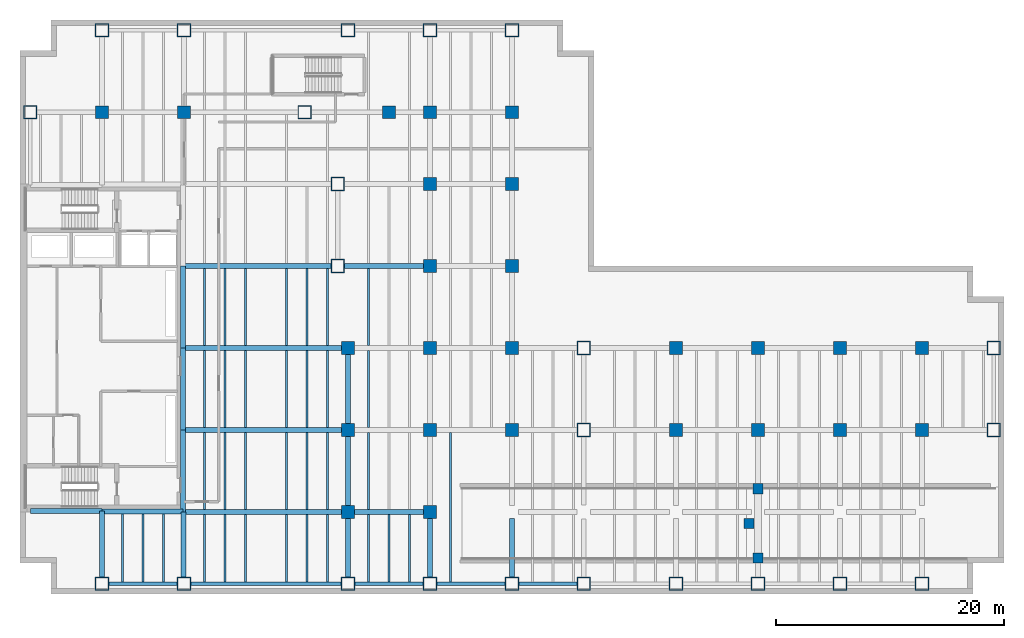
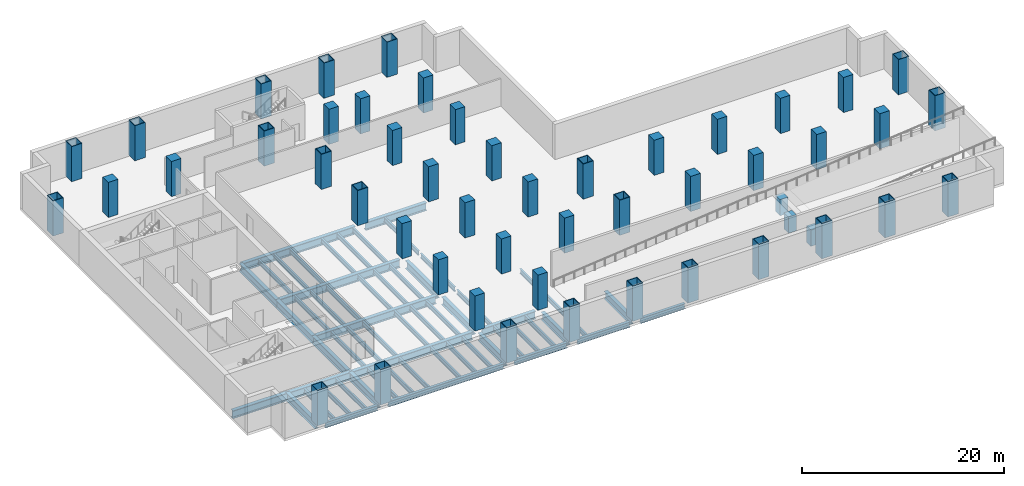
# One storey, part 1 of 11: 57 beams, 51 columns.
"""IFC4 building model written with IfcOpenShell, lengths in metres."""

import ifcopenshell
import ifcopenshell.guid

model = None  # the IFC model being written
_history = None  # IfcOwnerHistory: only IFC2X3 demands one
_inside = {}  # id of a spatial element -> (the spatial element, [elements in it])
_under = {}  # id of a project, library or spatial element -> (it, [spatial elements below it])
_declared = {}  # id of a project -> (the project, [libraries it declares])
_typed = {}  # id of a type object -> (the type object, [elements of that type])
_made_of = {}  # id of a material, layer set ... -> (it, [elements and type objects made of it])


def new_model(schema):
    """Start an empty IFC model of exactly this schema.

    Asked for "IFC4X3", IfcOpenShell would pick the latest addendum, in which some entities
    have other attributes; the version numbers below select the first issue.
    IFC2X3 requires an IfcOwnerHistory on every rooted entity: one is made here for all.
    """
    global model, _history
    if schema == "IFC4X3":
        model = ifcopenshell.file(schema_version=(4, 3, 0, 0))
    else:
        model = ifcopenshell.file(schema=schema)
    _inside.clear()
    _under.clear()
    _declared.clear()
    _typed.clear()
    _made_of.clear()
    _history = None
    if model.schema == "IFC2X3":
        org = make("IfcOrganization", Name="unknown")
        user = make(
            "IfcPersonAndOrganization",
            ThePerson=make("IfcPerson", FamilyName="unknown"),
            TheOrganization=org,
        )
        app = make(
            "IfcApplication",
            ApplicationDeveloper=org,
            Version="unknown",
            ApplicationFullName="unknown",
            ApplicationIdentifier="unknown",
        )
        _history = make(
            "IfcOwnerHistory",
            OwningUser=user,
            OwningApplication=app,
            ChangeAction="ADDED",
            CreationDate=0,
        )
    return model


def make(cls, **values):
    """One entity of the class cls with the attributes given. An attribute that is None is left unset."""
    return model.create_entity(
        cls, **{name: value for name, value in values.items() if value is not None}
    )


def rooted(cls, **values):
    """An entity with a GlobalId (a new one), such as an element, a storey or a relation."""
    return make(cls, GlobalId=ifcopenshell.guid.new(), OwnerHistory=_history, **values)


def si_unit(unit_type, name, prefix=None):
    """IfcSIUnit, for example si_unit("LENGTHUNIT", "METRE", prefix="MILLI")."""
    return make("IfcSIUnit", UnitType=unit_type, Prefix=prefix, Name=name)


def assignment(units):
    """IfcUnitAssignment: the units of a project."""
    return None if units is None else make("IfcUnitAssignment", Units=units)


def point(xyz):
    """IfcCartesianPoint."""
    return None if xyz is None else make("IfcCartesianPoint", Coordinates=xyz)


def direction(xyz):
    """IfcDirection."""
    return None if xyz is None else make("IfcDirection", DirectionRatios=xyz)


def frame(location, z_axis=None, x_axis=None):
    """IfcAxis2Placement3D, a coordinate frame: its origin and axes. An axis left out is left unset."""
    return make(
        "IfcAxis2Placement3D",
        Location=point(location),
        Axis=direction(z_axis),
        RefDirection=direction(x_axis),
    )


def frame_2d(location, x_axis=None):
    """IfcAxis2Placement2D, a coordinate frame in the plane: its origin and x axis."""
    return make(
        "IfcAxis2Placement2D", Location=point(location), RefDirection=direction(x_axis)
    )


def origin():
    """The frame at (0, 0, 0) with its axes left unset."""
    return frame((0.0, 0.0, 0.0))


def origin_2d():
    """The frame at (0, 0) in the plane with its x axis left unset."""
    return frame_2d((0.0, 0.0))


def place(relative_to, where):
    """IfcLocalPlacement: puts the frame where relative to a parent placement (None: the world)."""
    return make(
        "IfcLocalPlacement", PlacementRelTo=relative_to, RelativePlacement=where
    )


def context(
    kind, dimensions, precision=None, world=None, true_north=None, identifier=None
):
    """IfcGeometricRepresentationContext, for example the 3D "Model" context."""
    return make(
        "IfcGeometricRepresentationContext",
        ContextIdentifier=identifier,
        ContextType=kind,
        CoordinateSpaceDimension=dimensions,
        Precision=precision,
        WorldCoordinateSystem=world,
        TrueNorth=true_north,
    )


def subcontext(parent, identifier, kind, view, scale=None):
    """IfcGeometricRepresentationSubContext, for example "Body" below "Model"."""
    return make(
        "IfcGeometricRepresentationSubContext",
        ContextIdentifier=identifier,
        ContextType=kind,
        ParentContext=parent,
        TargetScale=scale,
        TargetView=view,
    )


def project(units=None, contexts=None):
    """IfcProject with its units and contexts."""
    return rooted(
        "IfcProject",
        Name="project",
        RepresentationContexts=contexts,
        UnitsInContext=assignment(units),
    )


def spatial(cls, under=None, at=None, **own):
    """A site, building, storey or space (cls), placed at a placement, below another one or the project."""
    s = rooted(cls, ObjectPlacement=at, **own)
    if under is not None:
        _under.setdefault(under.id(), (under, []))[1].append(s)
    return s


def profile(cls, at=None, kind="AREA", **sizes):
    """A parametric profile (cls). Its sizes go by their IFC names, for example OverallWidth=200.0."""
    return make(cls, ProfileType=kind, Position=at, **sizes)


def rectangle(**sizes):
    """IfcRectangleProfileDef."""
    return profile("IfcRectangleProfileDef", **sizes)


def hollow_rectangle(**sizes):
    """IfcRectangleHollowProfileDef."""
    return profile("IfcRectangleHollowProfileDef", **sizes)


def i_section(**sizes):
    """IfcIShapeProfileDef."""
    return profile("IfcIShapeProfileDef", **sizes)


def extrude(swept, where, along, depth):
    """IfcExtrudedAreaSolid: the profile swept, set in the frame where, extruded along a direction by depth."""
    return make(
        "IfcExtrudedAreaSolid",
        SweptArea=swept,
        Position=where,
        ExtrudedDirection=direction(along),
        Depth=depth,
    )


def shape(context_of_items, identifier, shape_type, items):
    """IfcShapeRepresentation: the items that make up one representation, for example the "Body"."""
    return make(
        "IfcShapeRepresentation",
        ContextOfItems=context_of_items,
        RepresentationIdentifier=identifier,
        RepresentationType=shape_type,
        Items=items,
    )


def material(Name=None, Category=None):
    """IfcMaterial."""
    return make("IfcMaterial", Name=Name, Category=Category)


def material_profile(
    of_material, cross_section, Name=None, Category=None, Priority=None
):
    """IfcMaterialProfile: a cross section and its material."""
    return make(
        "IfcMaterialProfile",
        Name=Name,
        Material=of_material,
        Profile=cross_section,
        Priority=Priority,
        Category=Category,
    )


def profile_set(profiles, Name=None, composite=None):
    """IfcMaterialProfileSet."""
    return make(
        "IfcMaterialProfileSet",
        Name=Name,
        MaterialProfiles=profiles,
        CompositeProfile=composite,
    )


def made_of(thing, what):
    """Note that an element or type object is made of a material, layer set ...; save() writes the relation."""
    if what is not None:
        _made_of.setdefault(what.id(), (what, []))[1].append(thing)
    return thing


def type_object(cls, material=None, **own):
    """A type object (cls), such as IfcWallType, which elements share."""
    return made_of(rooted(cls, **own), material)


def element(
    cls,
    number,
    at=None,
    inside=None,
    cuts=None,
    type_object=None,
    material=None,
    context=None,
    identifier="Body",
    shape_type=None,
    held_by="IfcProductDefinitionShape",
    body=None,
    shapes=None,
    **own,
):
    """One element of the class cls, such as IfcWall. Its Tag is "e" and its number.

    at: its placement. inside: the storey or other place that contains it. cuts: it is an
    opening in that element (IfcRelVoidsElement). A single representation is given by context,
    identifier, shape_type and body (its items); several are given by shapes. held_by: the class
    of the entity that holds the representations. save() writes the other relations.
    """
    e = rooted(cls, Tag="e%d" % number, ObjectPlacement=at, **own)
    if body is not None:
        shapes = [shape(context, identifier, shape_type, body)]
    if shapes is not None:
        e.Representation = make(held_by, Representations=shapes)
    if inside is not None:
        _inside.setdefault(inside.id(), (inside, []))[1].append(e)
    if cuts is not None:
        rooted(
            "IfcRelVoidsElement", RelatingBuildingElement=cuts, RelatedOpeningElement=e
        )
    if type_object is not None:
        _typed.setdefault(type_object.id(), (type_object, []))[1].append(e)
    return made_of(e, material)


def aggregate(whole, parts):
    """IfcRelAggregates: a whole, such as a stair, and the parts it consists of."""
    return rooted("IfcRelAggregates", RelatingObject=whole, RelatedObjects=parts)


def save(model, path):
    """Write the relations noted so far, then the file.

    IfcRelAggregates (storeys below a building ...), IfcRelContainedInSpatialStructure (elements
    in a storey), IfcRelDefinesByType, IfcRelAssociatesMaterial and IfcRelDeclares: one each for
    every whole, place, type object, material and project.
    """
    for whole, parts in _under.values():
        aggregate(whole, parts)
    for where, things in _inside.values():
        rooted(
            "IfcRelContainedInSpatialStructure",
            RelatedElements=things,
            RelatingStructure=where,
        )
    for kind, things in _typed.values():
        rooted("IfcRelDefinesByType", RelatedObjects=things, RelatingType=kind)
    for what, things in _made_of.values():
        rooted("IfcRelAssociatesMaterial", RelatedObjects=things, RelatingMaterial=what)
    for by, libraries in _declared.values():
        rooted("IfcRelDeclares", RelatingContext=by, RelatedDefinitions=libraries)
    model.write(path)


model = new_model("IFC4")

# Units and contexts
model_context = context("Model", 3, precision=1e-05, world=origin(), true_north=direction((0.0, 1.0)))
body_context = subcontext(model_context, "Body", "Model", "MODEL_VIEW")
ifc_project = project(units=[si_unit("LENGTHUNIT", "METRE"), si_unit("AREAUNIT", "SQUARE_METRE"), si_unit("VOLUMEUNIT", "CUBIC_METRE"), si_unit("PLANEANGLEUNIT", "RADIAN"), si_unit("MASSUNIT", "GRAM", prefix="KILO")], contexts=[model_context])

# Site, building, storey
site_placement = place(None, origin())
site = spatial("IfcSite", under=ifc_project, at=site_placement, CompositionType="ELEMENT")
building_placement = place(site_placement, origin())
building = spatial("IfcBuilding", under=site, at=building_placement, Name="Cobrela Telecom Tower", CompositionType="ELEMENT")
storey_placement = place(building_placement, frame((0.0, 0.0, -4.550048828125)))
storey = spatial("IfcBuildingStorey", under=building, at=storey_placement, Name="B1", CompositionType="ELEMENT", Elevation=-4.550048828125)

# Columns
ifc_material_1 = material(Name="Concrete C50/60", Category="concrete")
ifc_material_profile_1 = material_profile(ifc_material_1, rectangle(XDim=1.10009765625, YDim=1.10009765625, at=origin_2d()), Name="RC 1100x1100")
ifc_profile_set_1 = profile_set([ifc_material_profile_1], Name="Concrete C50/60")
column_type_1 = type_object("IfcColumnType", Name="COL-INT-01", PredefinedType="COLUMN", material=ifc_profile_set_1)
for number, where, z_axis, x_axis, name in (
    (1, (7.199951171875, 42.300048828125, 0.0), (0.0, 0.0, 1.0), (1.0, 0.0, 0.0), "B1 Interior Column 03"),
    (2, (14.39990234375, 42.300048828125, 0.0), (0.0, 0.0, 1.0), (1.0, 0.0, 0.0), "B1 Interior Column 06"),
    (3, (28.800048828125, 7.199951171875, 0.0), (0.0, 0.0, 1.0), (1.0, 0.0, 0.0), "B1 Interior Column 12"),
    (4, (28.800048828125, 14.39990234375, 0.0), (0.0, 0.0, 1.0), (1.0, 0.0, 0.0), "B1 Interior Column 13"),
    (5, (28.800048828125, 21.60009765625, 0.0), (0.0, 0.0, 1.0), (1.0, 0.0, 0.0), "B1 Interior Column 14"),
    (6, (32.39990234375, 42.300048828125, 0.0), (0.0, 0.0, 1.0), (1.0, 0.0, 0.0), "B1 Interior Column 16"),
    (7, (36.0, 7.199951171875, 0.0), (0.0, 0.0, 1.0), (1.0, 0.0, 0.0), "B1 Interior Column 18"),
    (8, (36.0, 14.39990234375, 0.0), (0.0, 0.0, 1.0), (1.0, 0.0, 0.0), "B1 Interior Column 19"),
    (9, (36.0, 21.60009765625, 0.0), (0.0, 0.0, 1.0), (1.0, 0.0, 0.0), "B1 Interior Column 20"),
    (10, (36.0, 28.800048828125, 0.0), (0.0, 0.0, 1.0), (1.0, 0.0, 0.0), "B1 Interior Column 21"),
    (11, (36.0, 36.0, 0.0), (0.0, 0.0, 1.0), (1.0, 0.0, 0.0), "B1 Interior Column 22"),
    (12, (36.0, 42.300048828125, 0.0), (0.0, 0.0, 1.0), (1.0, 0.0, 0.0), "B1 Interior Column 23"),
    (13, (43.199951171875, 14.39990234375, 0.0), (0.0, 0.0, 1.0), (1.0, 0.0, 0.0), "B1 Interior Column 26"),
    (14, (43.199951171875, 21.60009765625, 0.0), (0.0, 0.0, 1.0), (1.0, 0.0, 0.0), "B1 Interior Column 27"),
    (15, (43.199951171875, 28.800048828125, 0.0), (0.0, 0.0, 1.0), (1.0, 0.0, 0.0), "B1 Interior Column 28"),
    (16, (43.199951171875, 36.0, 0.0), (0.0, 0.0, 1.0), (1.0, 0.0, 0.0), "B1 Interior Column 29"),
    (17, (43.199951171875, 42.300048828125, 0.0), (0.0, 0.0, 1.0), (1.0, 0.0, 0.0), "B1 Interior Column 30"),
    (18, (57.60009765625, 14.39990234375, 0.0), (0.0, 0.0, 1.0), (1.0, 0.0, 0.0), "B1 Interior Column 36"),
    (19, (57.60009765625, 21.60009765625, 0.0), (0.0, 0.0, 1.0), (1.0, 0.0, 0.0), "B1 Interior Column 37"),
    (20, (64.800048828125, 14.39990234375, 0.0), (0.0, 0.0, 1.0), (1.0, 0.0, 0.0), "B1 Interior Column 39"),
    (21, (64.800048828125, 21.60009765625, 0.0), (0.0, 0.0, 1.0), (1.0, 0.0, 0.0), "B1 Interior Column 40"),
    (22, (72.0, 14.39990234375, 0.0), (0.0, 0.0, 1.0), (1.0, 0.0, 0.0), "B1 Interior Column 42"),
    (23, (72.0, 21.60009765625, 0.0), (0.0, 0.0, 1.0), (1.0, 0.0, 0.0), "B1 Interior Column 43"),
    (24, (79.199951171875, 14.39990234375, 0.0), (0.0, 0.0, 1.0), (1.0, 0.0, 0.0), "B1 Interior Column 45"),
    (25, (79.199951171875, 21.60009765625, 0.0), (0.0, 0.0, 1.0), (1.0, 0.0, 0.0), "B1 Interior Column 46"),
):
    element("IfcColumn", number, at=place(storey_placement, frame(where, z_axis=z_axis, x_axis=x_axis)), inside=storey, type_object=column_type_1, Name=name, PredefinedType="COLUMN", context=body_context, shape_type="SweptSolid", body=[
        extrude(rectangle(XDim=1.10009765625, YDim=1.10009765625, at=origin_2d()), origin(), (0.0, 0.0, 1.0), 4.25),
    ])
ifc_material_2 = material(Name="Concrete C40/50", Category="concrete")
ifc_material_profile_2 = material_profile(ifc_material_2, rectangle(XDim=0.89990234375, YDim=0.89990234375, at=origin_2d()), Name="RC 900x900")
ifc_profile_set_2 = profile_set([ifc_material_profile_2], Name="Concrete C40/50")
column_type_2 = type_object("IfcColumnType", Name="COL-INT-02", PredefinedType="COLUMN", material=ifc_profile_set_2)
for number, where, z_axis, x_axis, name in (
    (26, (64.800048828125, 3.14990234375, 0.0), (0.0, 0.0, 1.0), (1.0, 0.0, 0.0), "B1 Vehicle Ramp Mid-Landing Support Column 3.15"),
    (27, (64.0, 6.199951171875, 0.0), (0.0, 0.0, 1.0), (1.0, 0.0, 0.0), "B1 Vehicle Ramp Mid-Landing Support Column 6.2"),
    (28, (64.800048828125, 9.25, 0.0), (0.0, 0.0, 1.0), (1.0, 0.0, 0.0), "B1 Vehicle Ramp Mid-Landing Support Column 9.25"),
):
    element("IfcColumn", number, at=place(storey_placement, frame(where, z_axis=z_axis, x_axis=x_axis)), inside=storey, type_object=column_type_2, Name=name, PredefinedType="COLUMN", context=body_context, shape_type="SweptSolid", body=[
        extrude(rectangle(XDim=0.89990234375, YDim=0.89990234375, at=origin_2d()), origin(), (0.0, 0.0, 1.0), 1.955078125),
    ])
ifc_material_3 = material(Name="Steel ASTM A572 Grade 50", Category="steel")
ifc_material_profile_3 = material_profile(ifc_material_3, hollow_rectangle(XDim=1.199951171875, YDim=1.199951171875, WallThickness=0.074951171875, at=origin_2d()), Name="BOX 1200x1200x75")
ifc_profile_set_3 = profile_set([ifc_material_profile_3], Name="Steel ASTM A572 Grade 50")
column_type_3 = type_object("IfcColumnType", Name="COL-MEGA-01", PredefinedType="COLUMN", material=ifc_profile_set_3)
for number, where, z_axis, x_axis, name in (
    (29, (0.89990234375, 42.300048828125, 0.0), (0.0, 0.0, 1.0), (1.0, 0.0, 0.0), "B1 Perimeter Mega-Column 01"),
    (30, (7.199951171875, 0.89990234375, 0.0), (0.0, 0.0, 1.0), (1.0, 0.0, 0.0), "B1 Perimeter Mega-Column 02"),
    (31, (7.199951171875, 49.5, 0.0), (0.0, 0.0, 1.0), (1.0, 0.0, 0.0), "B1 Perimeter Mega-Column 04"),
    (32, (14.39990234375, 0.89990234375, 0.0), (0.0, 0.0, 1.0), (1.0, 0.0, 0.0), "B1 Perimeter Mega-Column 05"),
    (33, (14.39990234375, 49.5, 0.0), (0.0, 0.0, 1.0), (1.0, 0.0, 0.0), "B1 Perimeter Mega-Column 07"),
    (34, (25.0, 42.300048828125, 0.0), (0.0, 0.0, 1.0), (1.0, 0.0, 0.0), "B1 Perimeter Mega-Column 08"),
    (35, (27.89990234375, 28.800048828125, 0.0), (0.0, 0.0, 1.0), (1.0, 0.0, 0.0), "B1 Perimeter Mega-Column 09"),
    (36, (27.89990234375, 36.0, 0.0), (0.0, 0.0, 1.0), (1.0, 0.0, 0.0), "B1 Perimeter Mega-Column 10"),
    (37, (28.800048828125, 0.89990234375, 0.0), (0.0, 0.0, 1.0), (1.0, 0.0, 0.0), "B1 Perimeter Mega-Column 11"),
    (38, (28.800048828125, 49.5, 0.0), (0.0, 0.0, 1.0), (1.0, 0.0, 0.0), "B1 Perimeter Mega-Column 15"),
    (39, (36.0, 0.89990234375, 0.0), (0.0, 0.0, 1.0), (1.0, 0.0, 0.0), "B1 Perimeter Mega-Column 17"),
    (40, (36.0, 49.5, 0.0), (0.0, 0.0, 1.0), (1.0, 0.0, 0.0), "B1 Perimeter Mega-Column 24"),
    (41, (43.199951171875, 0.89990234375, 0.0), (0.0, 0.0, 1.0), (1.0, 0.0, 0.0), "B1 Perimeter Mega-Column 25"),
    (42, (43.199951171875, 49.5, 0.0), (0.0, 0.0, 1.0), (1.0, 0.0, 0.0), "B1 Perimeter Mega-Column 31"),
    (43, (49.5, 0.89990234375, 0.0), (0.0, 0.0, 1.0), (1.0, 0.0, 0.0), "B1 Perimeter Mega-Column 32"),
    (44, (49.5, 14.39990234375, 0.0), (0.0, 0.0, 1.0), (1.0, 0.0, 0.0), "B1 Perimeter Mega-Column 33"),
    (45, (49.5, 21.60009765625, 0.0), (0.0, 0.0, 1.0), (1.0, 0.0, 0.0), "B1 Perimeter Mega-Column 34"),
    (46, (57.60009765625, 0.89990234375, 0.0), (0.0, 0.0, 1.0), (1.0, 0.0, 0.0), "B1 Perimeter Mega-Column 35"),
    (47, (64.800048828125, 0.89990234375, 0.0), (0.0, 0.0, 1.0), (1.0, 0.0, 0.0), "B1 Perimeter Mega-Column 38"),
    (48, (72.0, 0.89990234375, 0.0), (0.0, 0.0, 1.0), (1.0, 0.0, 0.0), "B1 Perimeter Mega-Column 41"),
    (49, (79.199951171875, 0.89990234375, 0.0), (0.0, 0.0, 1.0), (1.0, 0.0, 0.0), "B1 Perimeter Mega-Column 44"),
    (50, (85.5, 14.39990234375, 0.0), (0.0, 0.0, 1.0), (1.0, 0.0, 0.0), "B1 Perimeter Mega-Column 47"),
    (51, (85.5, 21.60009765625, 0.0), (0.0, 0.0, 1.0), (1.0, 0.0, 0.0), "B1 Perimeter Mega-Column 48"),
):
    element("IfcColumn", number, at=place(storey_placement, frame(where, z_axis=z_axis, x_axis=x_axis)), inside=storey, type_object=column_type_3, Name=name, PredefinedType="COLUMN", context=body_context, shape_type="SweptSolid", body=[
        extrude(hollow_rectangle(XDim=1.199951171875, YDim=1.199951171875, WallThickness=0.074951171875, at=origin_2d()), origin(), (0.0, 0.0, 1.0), 4.25),
    ])

# Beams
ifc_material_4 = material(Name="Steel ASTM A992 Grade 50", Category="steel")
ifc_material_profile_4 = material_profile(ifc_material_4, i_section(OverallWidth=0.424072265625, OverallDepth=0.947021484375, WebThickness=0.02392578125, FlangeThickness=0.042724609375, FilletRadius=0.02392578125, at=origin_2d()), Name="W36X302")
ifc_profile_set_4 = profile_set([ifc_material_profile_4], Name="Steel ASTM A992 Grade 50")
beam_type_1 = type_object("IfcBeamType", Name="BM-GIRD-01", PredefinedType="USERDEFINED", material=ifc_profile_set_4)
beam_1_placement = place(storey_placement, frame((0.905029296875, 7.280029296875, -0.7734375), z_axis=(1.0, 0.0, 0.0), x_axis=(0.0, 1.0, 0.0)))
element("IfcBeam", 52, at=beam_1_placement, inside=storey, type_object=beam_type_1, Name="B1 Primary Girder X10", ObjectType="GIRDER", PredefinedType="USERDEFINED", context=body_context, shape_type="SweptSolid", body=[
    extrude(i_section(OverallWidth=0.424072265625, OverallDepth=0.947021484375, WebThickness=0.02392578125, FlangeThickness=0.042724609375, FilletRadius=0.02392578125, at=origin_2d()), origin(), (0.0, 0.0, 1.0), 6.2900390625),
])
beam_2_placement = place(storey_placement, frame((7.205078125, 7.239990234375, -0.7734375), z_axis=(1.0, 0.0, 0.0), x_axis=(0.0, 1.0, 0.0)))
element("IfcBeam", 53, at=beam_2_placement, inside=storey, type_object=beam_type_1, Name="B1 Primary Girder X11", ObjectType="GIRDER", PredefinedType="USERDEFINED", context=body_context, shape_type="SweptSolid", body=[
    extrude(i_section(OverallWidth=0.424072265625, OverallDepth=0.947021484375, WebThickness=0.02392578125, FlangeThickness=0.042724609375, FilletRadius=0.02392578125, at=origin_2d()), origin(), (0.0, 0.0, 1.0), 7.10986328125),
])
beam_3_placement = place(storey_placement, frame((14.324951171875, 7.199951171875, -0.7734375), z_axis=(1.0, 0.0, 0.0), x_axis=(0.0, 1.0, 0.0)))
element("IfcBeam", 54, at=beam_3_placement, inside=storey, type_object=beam_type_1, Name="B1 Primary Girder X12", ObjectType="GIRDER", PredefinedType="USERDEFINED", context=body_context, shape_type="SweptSolid", body=[
    extrude(i_section(OverallWidth=0.424072265625, OverallDepth=0.947021484375, WebThickness=0.02392578125, FlangeThickness=0.042724609375, FilletRadius=0.02392578125, at=origin_2d()), origin(), (0.0, 0.0, 1.0), 13.920166015625),
])
beam_4_placement = place(storey_placement, frame((29.35498046875, 7.199951171875, -0.7734375), z_axis=(1.0, 0.0, 0.0), x_axis=(0.0, 1.0, 0.0)))
element("IfcBeam", 55, at=beam_4_placement, inside=storey, type_object=beam_type_1, Name="B1 Primary Girder X13", ObjectType="GIRDER", PredefinedType="USERDEFINED", context=body_context, shape_type="SweptSolid", body=[
    extrude(i_section(OverallWidth=0.424072265625, OverallDepth=0.947021484375, WebThickness=0.02392578125, FlangeThickness=0.042724609375, FilletRadius=0.02392578125, at=origin_2d()), origin(), (0.0, 0.0, 1.0), 6.090087890625),
])
for number, where, z_axis, x_axis, name in (
    (56, (14.324951171875, 14.39990234375, -0.7734375), (1.0, 0.0, 0.0), (0.0, 1.0, 0.0), "B1 Primary Girder X19"),
    (57, (14.324951171875, 21.60009765625, -0.7734375), (1.0, 0.0, 0.0), (0.0, 1.0, 0.0), "B1 Primary Girder X28"),
):
    element("IfcBeam", number, at=place(storey_placement, frame(where, z_axis=z_axis, x_axis=x_axis)), inside=storey, type_object=beam_type_1, Name=name, ObjectType="GIRDER", PredefinedType="USERDEFINED", context=body_context, shape_type="SweptSolid", body=[
        extrude(i_section(OverallWidth=0.424072265625, OverallDepth=0.947021484375, WebThickness=0.02392578125, FlangeThickness=0.042724609375, FilletRadius=0.02392578125, at=origin_2d()), origin(), (0.0, 0.0, 1.0), 13.920166015625),
    ])
beam_5_placement = place(storey_placement, frame((14.324951171875, 28.800048828125, -0.7734375), z_axis=(1.0, 0.0, 0.0), x_axis=(0.0, 1.0, 0.0)))
element("IfcBeam", 58, at=beam_5_placement, inside=storey, type_object=beam_type_1, Name="B1 Primary Girder X37", ObjectType="GIRDER", PredefinedType="USERDEFINED", context=body_context, shape_type="SweptSolid", body=[
    extrude(i_section(OverallWidth=0.424072265625, OverallDepth=0.947021484375, WebThickness=0.02392578125, FlangeThickness=0.042724609375, FilletRadius=0.02392578125, at=origin_2d()), origin(), (0.0, 0.0, 1.0), 12.969970703125),
])
beam_6_placement = place(storey_placement, frame((28.5048828125, 28.800048828125, -0.7734375), z_axis=(1.0, 0.0, 0.0), x_axis=(0.0, 1.0, 0.0)))
element("IfcBeam", 59, at=beam_6_placement, inside=storey, type_object=beam_type_1, Name="B1 Primary Girder X38", ObjectType="GIRDER", PredefinedType="USERDEFINED", context=body_context, shape_type="SweptSolid", body=[
    extrude(i_section(OverallWidth=0.424072265625, OverallDepth=0.947021484375, WebThickness=0.02392578125, FlangeThickness=0.042724609375, FilletRadius=0.02392578125, at=origin_2d()), origin(), (0.0, 0.0, 1.0), 6.940185546875),
])
beam_7_placement = place(storey_placement, frame((7.199951171875, 1.5048828125, -0.7734375), z_axis=(0.0, 1.0, 0.0), x_axis=(-1.0, 0.0, 0.0)))
element("IfcBeam", 60, at=beam_7_placement, inside=storey, type_object=beam_type_1, Name="B1 Primary Girder Y56", ObjectType="GIRDER", PredefinedType="USERDEFINED", context=body_context, shape_type="SweptSolid", body=[
    extrude(i_section(OverallWidth=0.424072265625, OverallDepth=0.947021484375, WebThickness=0.02392578125, FlangeThickness=0.042724609375, FilletRadius=0.02392578125, at=origin_2d()), origin(), (0.0, 0.0, 1.0), 5.77001953125),
])
beam_8_placement = place(storey_placement, frame((14.360107421875, 1.5048828125, -0.7734375), z_axis=(0.0, 1.0, 0.0), x_axis=(-1.0, 0.0, 0.0)))
element("IfcBeam", 61, at=beam_8_placement, inside=storey, type_object=beam_type_1, Name="B1 Primary Girder Y59", ObjectType="GIRDER", PredefinedType="USERDEFINED", context=body_context, shape_type="SweptSolid", body=[
    extrude(i_section(OverallWidth=0.424072265625, OverallDepth=0.947021484375, WebThickness=0.02392578125, FlangeThickness=0.042724609375, FilletRadius=0.02392578125, at=origin_2d()), origin(), (0.0, 0.0, 1.0), 5.690185546875),
])
for number, where, z_axis, x_axis, name in (
    (62, (14.320068359375, 7.205078125, -0.7734375), (0.0, 1.0, 0.0), (-1.0, 0.0, 0.0), "B1 Primary Girder Y60"),
    (63, (14.320068359375, 14.405029296875, -0.7734375), (0.0, 1.0, 0.0), (-1.0, 0.0, 0.0), "B1 Primary Girder Y61"),
    (64, (14.320068359375, 21.60498046875, -0.7734375), (0.0, 1.0, 0.0), (-1.0, 0.0, 0.0), "B1 Primary Girder Y62"),
):
    element("IfcBeam", number, at=place(storey_placement, frame(where, z_axis=z_axis, x_axis=x_axis)), inside=storey, type_object=beam_type_1, Name=name, ObjectType="GIRDER", PredefinedType="USERDEFINED", context=body_context, shape_type="SweptSolid", body=[
        extrude(i_section(OverallWidth=0.424072265625, OverallDepth=0.947021484375, WebThickness=0.02392578125, FlangeThickness=0.042724609375, FilletRadius=0.02392578125, at=origin_2d()), origin(), (0.0, 0.0, 1.0), 7.18994140625),
    ])
beam_9_placement = place(storey_placement, frame((28.800048828125, 1.5048828125, -0.7734375), z_axis=(0.0, 1.0, 0.0), x_axis=(-1.0, 0.0, 0.0)))
element("IfcBeam", 65, at=beam_9_placement, inside=storey, type_object=beam_type_1, Name="B1 Primary Girder Y67", ObjectType="GIRDER", PredefinedType="USERDEFINED", context=body_context, shape_type="SweptSolid", body=[
    extrude(i_section(OverallWidth=0.424072265625, OverallDepth=0.947021484375, WebThickness=0.02392578125, FlangeThickness=0.042724609375, FilletRadius=0.02392578125, at=origin_2d()), origin(), (0.0, 0.0, 1.0), 5.14013671875),
])
beam_10_placement = place(storey_placement, frame((28.800048828125, 7.7548828125, -0.7734375), z_axis=(0.0, 1.0, 0.0), x_axis=(-1.0, 0.0, 0.0)))
element("IfcBeam", 66, at=beam_10_placement, inside=storey, type_object=beam_type_1, Name="B1 Primary Girder Y68", ObjectType="GIRDER", PredefinedType="USERDEFINED", context=body_context, shape_type="SweptSolid", body=[
    extrude(i_section(OverallWidth=0.424072265625, OverallDepth=0.947021484375, WebThickness=0.02392578125, FlangeThickness=0.042724609375, FilletRadius=0.02392578125, at=origin_2d()), origin(), (0.0, 0.0, 1.0), 6.090087890625),
])
beam_11_placement = place(storey_placement, frame((28.800048828125, 14.955078125, -0.7734375), z_axis=(0.0, 1.0, 0.0), x_axis=(-1.0, 0.0, 0.0)))
element("IfcBeam", 67, at=beam_11_placement, inside=storey, type_object=beam_type_1, Name="B1 Primary Girder Y69", ObjectType="GIRDER", PredefinedType="USERDEFINED", context=body_context, shape_type="SweptSolid", body=[
    extrude(i_section(OverallWidth=0.424072265625, OverallDepth=0.947021484375, WebThickness=0.02392578125, FlangeThickness=0.042724609375, FilletRadius=0.02392578125, at=origin_2d()), origin(), (0.0, 0.0, 1.0), 6.08984375),
])
for number, where, z_axis, x_axis, name in (
    (68, (36.0, 1.5048828125, -0.7734375), (0.0, 1.0, 0.0), (-1.0, 0.0, 0.0), "B1 Primary Girder Y70"),
    (69, (43.199951171875, 1.5048828125, -0.7734375), (0.0, 1.0, 0.0), (-1.0, 0.0, 0.0), "B1 Primary Girder Y77"),
):
    element("IfcBeam", number, at=place(storey_placement, frame(where, z_axis=z_axis, x_axis=x_axis)), inside=storey, type_object=beam_type_1, Name=name, ObjectType="GIRDER", PredefinedType="USERDEFINED", context=body_context, shape_type="SweptSolid", body=[
        extrude(i_section(OverallWidth=0.424072265625, OverallDepth=0.947021484375, WebThickness=0.02392578125, FlangeThickness=0.042724609375, FilletRadius=0.02392578125, at=origin_2d()), origin(), (0.0, 0.0, 1.0), 5.14013671875),
    ])
ifc_material_profile_5 = material_profile(ifc_material_4, i_section(OverallWidth=0.212890625, OverallDepth=0.549072265625, WebThickness=0.0146484375, FlangeThickness=0.023681640625, FilletRadius=0.013916015625, at=origin_2d()), Name="W21X93")
ifc_profile_set_5 = profile_set([ifc_material_profile_5], Name="Steel ASTM A992 Grade 50")
beam_type_2 = type_object("IfcBeamType", Name="BM-JOIST-01", PredefinedType="JOIST", material=ifc_profile_set_5)
for number, where, z_axis, x_axis, name in (
    (70, (9.0, 1.069091796875, -0.574462890625), (0.0, 1.0, 0.0), (-1.0, 0.0, 0.0), "B1 Secondary Composite Floor Beam J04"),
    (71, (10.800048828125, 1.069091796875, -0.574462890625), (0.0, 1.0, 0.0), (-1.0, 0.0, 0.0), "B1 Secondary Composite Floor Beam J07"),
    (72, (12.60009765625, 1.069091796875, -0.574462890625), (0.0, 1.0, 0.0), (-1.0, 0.0, 0.0), "B1 Secondary Composite Floor Beam J10"),
):
    element("IfcBeam", number, at=place(storey_placement, frame(where, z_axis=z_axis, x_axis=x_axis)), inside=storey, type_object=beam_type_2, Name=name, PredefinedType="JOIST", context=body_context, shape_type="SweptSolid", body=[
        extrude(i_section(OverallWidth=0.212890625, OverallDepth=0.549072265625, WebThickness=0.0146484375, FlangeThickness=0.023681640625, FilletRadius=0.013916015625, at=origin_2d()), origin(), (0.0, 0.0, 1.0), 5.953857421875),
    ])
beam_12_placement = place(storey_placement, frame((16.199951171875, 1.069091796875, -0.574462890625), z_axis=(0.0, 1.0, 0.0), x_axis=(-1.0, 0.0, 0.0)))
element("IfcBeam", 73, at=beam_12_placement, inside=storey, type_object=beam_type_2, Name="B1 Secondary Composite Floor Beam J13", PredefinedType="JOIST", context=body_context, shape_type="SweptSolid", body=[
    extrude(i_section(OverallWidth=0.212890625, OverallDepth=0.549072265625, WebThickness=0.0146484375, FlangeThickness=0.023681640625, FilletRadius=0.013916015625, at=origin_2d()), origin(), (0.0, 0.0, 1.0), 5.913818359375),
])
for number, where, z_axis, x_axis, name in (
    (74, (16.199951171875, 7.4169921875, -0.574462890625), (0.0, 1.0, 0.0), (-1.0, 0.0, 0.0), "B1 Secondary Composite Floor Beam J14"),
    (75, (16.199951171875, 14.616943359375, -0.574462890625), (0.0, 1.0, 0.0), (-1.0, 0.0, 0.0), "B1 Secondary Composite Floor Beam J15"),
    (76, (16.199951171875, 21.81689453125, -0.574462890625), (0.0, 1.0, 0.0), (-1.0, 0.0, 0.0), "B1 Secondary Composite Floor Beam J16"),
):
    element("IfcBeam", number, at=place(storey_placement, frame(where, z_axis=z_axis, x_axis=x_axis)), inside=storey, type_object=beam_type_2, Name=name, PredefinedType="JOIST", context=body_context, shape_type="SweptSolid", body=[
        extrude(i_section(OverallWidth=0.212890625, OverallDepth=0.549072265625, WebThickness=0.0146484375, FlangeThickness=0.023681640625, FilletRadius=0.013916015625, at=origin_2d()), origin(), (0.0, 0.0, 1.0), 6.76611328125),
    ])
beam_13_placement = place(storey_placement, frame((18.0, 1.069091796875, -0.574462890625), z_axis=(0.0, 1.0, 0.0), x_axis=(-1.0, 0.0, 0.0)))
element("IfcBeam", 77, at=beam_13_placement, inside=storey, type_object=beam_type_2, Name="B1 Secondary Composite Floor Beam J20", PredefinedType="JOIST", context=body_context, shape_type="SweptSolid", body=[
    extrude(i_section(OverallWidth=0.212890625, OverallDepth=0.549072265625, WebThickness=0.0146484375, FlangeThickness=0.023681640625, FilletRadius=0.013916015625, at=origin_2d()), origin(), (0.0, 0.0, 1.0), 5.913818359375),
])
for number, where, z_axis, x_axis, name in (
    (78, (18.0, 7.4169921875, -0.574462890625), (0.0, 1.0, 0.0), (-1.0, 0.0, 0.0), "B1 Secondary Composite Floor Beam J21"),
    (79, (18.0, 14.616943359375, -0.574462890625), (0.0, 1.0, 0.0), (-1.0, 0.0, 0.0), "B1 Secondary Composite Floor Beam J22"),
    (80, (18.0, 21.81689453125, -0.574462890625), (0.0, 1.0, 0.0), (-1.0, 0.0, 0.0), "B1 Secondary Composite Floor Beam J23"),
):
    element("IfcBeam", number, at=place(storey_placement, frame(where, z_axis=z_axis, x_axis=x_axis)), inside=storey, type_object=beam_type_2, Name=name, PredefinedType="JOIST", context=body_context, shape_type="SweptSolid", body=[
        extrude(i_section(OverallWidth=0.212890625, OverallDepth=0.549072265625, WebThickness=0.0146484375, FlangeThickness=0.023681640625, FilletRadius=0.013916015625, at=origin_2d()), origin(), (0.0, 0.0, 1.0), 6.76611328125),
    ])
beam_14_placement = place(storey_placement, frame((19.800048828125, 1.069091796875, -0.574462890625), z_axis=(0.0, 1.0, 0.0), x_axis=(-1.0, 0.0, 0.0)))
element("IfcBeam", 81, at=beam_14_placement, inside=storey, type_object=beam_type_2, Name="B1 Secondary Composite Floor Beam J27", PredefinedType="JOIST", context=body_context, shape_type="SweptSolid", body=[
    extrude(i_section(OverallWidth=0.212890625, OverallDepth=0.549072265625, WebThickness=0.0146484375, FlangeThickness=0.023681640625, FilletRadius=0.013916015625, at=origin_2d()), origin(), (0.0, 0.0, 1.0), 5.913818359375),
])
for number, where, z_axis, x_axis, name in (
    (82, (19.800048828125, 7.4169921875, -0.574462890625), (0.0, 1.0, 0.0), (-1.0, 0.0, 0.0), "B1 Secondary Composite Floor Beam J28"),
    (83, (19.800048828125, 14.616943359375, -0.574462890625), (0.0, 1.0, 0.0), (-1.0, 0.0, 0.0), "B1 Secondary Composite Floor Beam J29"),
    (84, (19.800048828125, 21.81689453125, -0.574462890625), (0.0, 1.0, 0.0), (-1.0, 0.0, 0.0), "B1 Secondary Composite Floor Beam J30"),
):
    element("IfcBeam", number, at=place(storey_placement, frame(where, z_axis=z_axis, x_axis=x_axis)), inside=storey, type_object=beam_type_2, Name=name, PredefinedType="JOIST", context=body_context, shape_type="SweptSolid", body=[
        extrude(i_section(OverallWidth=0.212890625, OverallDepth=0.549072265625, WebThickness=0.0146484375, FlangeThickness=0.023681640625, FilletRadius=0.013916015625, at=origin_2d()), origin(), (0.0, 0.0, 1.0), 6.76611328125),
    ])
beam_15_placement = place(storey_placement, frame((23.39990234375, 1.069091796875, -0.574462890625), z_axis=(0.0, 1.0, 0.0), x_axis=(-1.0, 0.0, 0.0)))
element("IfcBeam", 85, at=beam_15_placement, inside=storey, type_object=beam_type_2, Name="B1 Secondary Composite Floor Beam J34", PredefinedType="JOIST", context=body_context, shape_type="SweptSolid", body=[
    extrude(i_section(OverallWidth=0.212890625, OverallDepth=0.549072265625, WebThickness=0.0146484375, FlangeThickness=0.023681640625, FilletRadius=0.013916015625, at=origin_2d()), origin(), (0.0, 0.0, 1.0), 5.913818359375),
])
for number, where, z_axis, x_axis, name in (
    (86, (23.39990234375, 7.4169921875, -0.574462890625), (0.0, 1.0, 0.0), (-1.0, 0.0, 0.0), "B1 Secondary Composite Floor Beam J35"),
    (87, (23.39990234375, 14.616943359375, -0.574462890625), (0.0, 1.0, 0.0), (-1.0, 0.0, 0.0), "B1 Secondary Composite Floor Beam J36"),
    (88, (23.39990234375, 21.81689453125, -0.574462890625), (0.0, 1.0, 0.0), (-1.0, 0.0, 0.0), "B1 Secondary Composite Floor Beam J37"),
):
    element("IfcBeam", number, at=place(storey_placement, frame(where, z_axis=z_axis, x_axis=x_axis)), inside=storey, type_object=beam_type_2, Name=name, PredefinedType="JOIST", context=body_context, shape_type="SweptSolid", body=[
        extrude(i_section(OverallWidth=0.212890625, OverallDepth=0.549072265625, WebThickness=0.0146484375, FlangeThickness=0.023681640625, FilletRadius=0.013916015625, at=origin_2d()), origin(), (0.0, 0.0, 1.0), 6.76611328125),
    ])
beam_16_placement = place(storey_placement, frame((25.199951171875, 1.069091796875, -0.574462890625), z_axis=(0.0, 1.0, 0.0), x_axis=(-1.0, 0.0, 0.0)))
element("IfcBeam", 89, at=beam_16_placement, inside=storey, type_object=beam_type_2, Name="B1 Secondary Composite Floor Beam J40", PredefinedType="JOIST", context=body_context, shape_type="SweptSolid", body=[
    extrude(i_section(OverallWidth=0.212890625, OverallDepth=0.549072265625, WebThickness=0.0146484375, FlangeThickness=0.023681640625, FilletRadius=0.013916015625, at=origin_2d()), origin(), (0.0, 0.0, 1.0), 5.913818359375),
])
for number, where, z_axis, x_axis, name in (
    (90, (25.199951171875, 7.4169921875, -0.574462890625), (0.0, 1.0, 0.0), (-1.0, 0.0, 0.0), "B1 Secondary Composite Floor Beam J41"),
    (91, (25.199951171875, 14.616943359375, -0.574462890625), (0.0, 1.0, 0.0), (-1.0, 0.0, 0.0), "B1 Secondary Composite Floor Beam J42"),
    (92, (25.199951171875, 21.81689453125, -0.574462890625), (0.0, 1.0, 0.0), (-1.0, 0.0, 0.0), "B1 Secondary Composite Floor Beam J43"),
):
    element("IfcBeam", number, at=place(storey_placement, frame(where, z_axis=z_axis, x_axis=x_axis)), inside=storey, type_object=beam_type_2, Name=name, PredefinedType="JOIST", context=body_context, shape_type="SweptSolid", body=[
        extrude(i_section(OverallWidth=0.212890625, OverallDepth=0.549072265625, WebThickness=0.0146484375, FlangeThickness=0.023681640625, FilletRadius=0.013916015625, at=origin_2d()), origin(), (0.0, 0.0, 1.0), 6.76611328125),
    ])
beam_17_placement = place(storey_placement, frame((27.0, 1.069091796875, -0.574462890625), z_axis=(0.0, 1.0, 0.0), x_axis=(-1.0, 0.0, 0.0)))
element("IfcBeam", 93, at=beam_17_placement, inside=storey, type_object=beam_type_2, Name="B1 Secondary Composite Floor Beam J45", PredefinedType="JOIST", context=body_context, shape_type="SweptSolid", body=[
    extrude(i_section(OverallWidth=0.212890625, OverallDepth=0.549072265625, WebThickness=0.0146484375, FlangeThickness=0.023681640625, FilletRadius=0.013916015625, at=origin_2d()), origin(), (0.0, 0.0, 1.0), 5.913818359375),
])
for number, where, z_axis, x_axis, name in (
    (94, (27.0, 7.4169921875, -0.574462890625), (0.0, 1.0, 0.0), (-1.0, 0.0, 0.0), "B1 Secondary Composite Floor Beam J46"),
    (95, (27.0, 14.616943359375, -0.574462890625), (0.0, 1.0, 0.0), (-1.0, 0.0, 0.0), "B1 Secondary Composite Floor Beam J47"),
    (96, (27.0, 21.81689453125, -0.574462890625), (0.0, 1.0, 0.0), (-1.0, 0.0, 0.0), "B1 Secondary Composite Floor Beam J48"),
):
    element("IfcBeam", number, at=place(storey_placement, frame(where, z_axis=z_axis, x_axis=x_axis)), inside=storey, type_object=beam_type_2, Name=name, PredefinedType="JOIST", context=body_context, shape_type="SweptSolid", body=[
        extrude(i_section(OverallWidth=0.212890625, OverallDepth=0.549072265625, WebThickness=0.0146484375, FlangeThickness=0.023681640625, FilletRadius=0.013916015625, at=origin_2d()), origin(), (0.0, 0.0, 1.0), 6.76611328125),
    ])
beam_18_placement = place(storey_placement, frame((30.60009765625, 1.069091796875, -0.574462890625), z_axis=(0.0, 1.0, 0.0), x_axis=(-1.0, 0.0, 0.0)))
element("IfcBeam", 97, at=beam_18_placement, inside=storey, type_object=beam_type_2, Name="B1 Secondary Composite Floor Beam J51", PredefinedType="JOIST", context=body_context, shape_type="SweptSolid", body=[
    extrude(i_section(OverallWidth=0.212890625, OverallDepth=0.549072265625, WebThickness=0.0146484375, FlangeThickness=0.023681640625, FilletRadius=0.013916015625, at=origin_2d()), origin(), (0.0, 0.0, 1.0), 5.913818359375),
])
for number, where, z_axis, x_axis, name in (
    (98, (30.60009765625, 7.4169921875, -0.574462890625), (0.0, 1.0, 0.0), (-1.0, 0.0, 0.0), "B1 Secondary Composite Floor Beam J52"),
    (99, (30.60009765625, 14.616943359375, -0.574462890625), (0.0, 1.0, 0.0), (-1.0, 0.0, 0.0), "B1 Secondary Composite Floor Beam J53"),
    (100, (30.60009765625, 21.81689453125, -0.574462890625), (0.0, 1.0, 0.0), (-1.0, 0.0, 0.0), "B1 Secondary Composite Floor Beam J54"),
):
    element("IfcBeam", number, at=place(storey_placement, frame(where, z_axis=z_axis, x_axis=x_axis)), inside=storey, type_object=beam_type_2, Name=name, PredefinedType="JOIST", context=body_context, shape_type="SweptSolid", body=[
        extrude(i_section(OverallWidth=0.212890625, OverallDepth=0.549072265625, WebThickness=0.0146484375, FlangeThickness=0.023681640625, FilletRadius=0.013916015625, at=origin_2d()), origin(), (0.0, 0.0, 1.0), 6.76611328125),
    ])
for number, where, z_axis, x_axis, name in (
    (101, (32.39990234375, 1.069091796875, -0.574462890625), (0.0, 1.0, 0.0), (-1.0, 0.0, 0.0), "B1 Secondary Composite Floor Beam J58"),
    (102, (34.199951171875, 1.069091796875, -0.574462890625), (0.0, 1.0, 0.0), (-1.0, 0.0, 0.0), "B1 Secondary Composite Floor Beam J63"),
):
    element("IfcBeam", number, at=place(storey_placement, frame(where, z_axis=z_axis, x_axis=x_axis)), inside=storey, type_object=beam_type_2, Name=name, PredefinedType="JOIST", context=body_context, shape_type="SweptSolid", body=[
        extrude(i_section(OverallWidth=0.212890625, OverallDepth=0.549072265625, WebThickness=0.0146484375, FlangeThickness=0.023681640625, FilletRadius=0.013916015625, at=origin_2d()), origin(), (0.0, 0.0, 1.0), 5.913818359375),
    ])
beam_19_placement = place(storey_placement, frame((37.800048828125, 1.069091796875, -0.574462890625), z_axis=(0.0, 1.0, 0.0), x_axis=(-1.0, 0.0, 0.0)))
element("IfcBeam", 103, at=beam_19_placement, inside=storey, type_object=beam_type_2, Name="B1 Secondary Composite Floor Beam J70", PredefinedType="JOIST", context=body_context, shape_type="SweptSolid", body=[
    extrude(i_section(OverallWidth=0.212890625, OverallDepth=0.549072265625, WebThickness=0.0146484375, FlangeThickness=0.023681640625, FilletRadius=0.013916015625, at=origin_2d()), origin(), (0.0, 0.0, 1.0), 13.114013671875),
])
ifc_material_profile_6 = material_profile(ifc_material_4, i_section(OverallWidth=0.327880859375, OverallDepth=0.6220703125, WebThickness=0.015380859375, FlangeThickness=0.0244140625, FilletRadius=0.014892578125, at=origin_2d()), Name="W24X131")
ifc_profile_set_6 = profile_set([ifc_material_profile_6], Name="Steel ASTM A992 Grade 50")
beam_type_3 = type_object("IfcBeamType", Name="BM-SPAND-01", PredefinedType="SPANDREL", material=ifc_profile_set_6)
beam_20_placement = place(storey_placement, frame((7.804931640625, 0.89990234375, -0.61083984375), z_axis=(1.0, 0.0, 0.0), x_axis=(0.0, 1.0, 0.0)))
element("IfcBeam", 104, at=beam_20_placement, inside=storey, type_object=beam_type_3, Name="B1 Perimeter Spandrel X01", PredefinedType="SPANDREL", context=body_context, shape_type="SweptSolid", body=[
    extrude(i_section(OverallWidth=0.327880859375, OverallDepth=0.6220703125, WebThickness=0.015380859375, FlangeThickness=0.0244140625, FilletRadius=0.014892578125, at=origin_2d()), origin(), (0.0, 0.0, 1.0), 5.989990234375),
])
beam_21_placement = place(storey_placement, frame((15.0048828125, 0.89990234375, -0.61083984375), z_axis=(1.0, 0.0, 0.0), x_axis=(0.0, 1.0, 0.0)))
element("IfcBeam", 105, at=beam_21_placement, inside=storey, type_object=beam_type_3, Name="B1 Perimeter Spandrel X02", PredefinedType="SPANDREL", context=body_context, shape_type="SweptSolid", body=[
    extrude(i_section(OverallWidth=0.327880859375, OverallDepth=0.6220703125, WebThickness=0.015380859375, FlangeThickness=0.0244140625, FilletRadius=0.014892578125, at=origin_2d()), origin(), (0.0, 0.0, 1.0), 13.190185546875),
])
for number, where, z_axis, x_axis, name in (
    (106, (29.405029296875, 0.89990234375, -0.61083984375), (1.0, 0.0, 0.0), (0.0, 1.0, 0.0), "B1 Perimeter Spandrel X03"),
    (107, (36.60498046875, 0.89990234375, -0.61083984375), (1.0, 0.0, 0.0), (0.0, 1.0, 0.0), "B1 Perimeter Spandrel X04"),
):
    element("IfcBeam", number, at=place(storey_placement, frame(where, z_axis=z_axis, x_axis=x_axis)), inside=storey, type_object=beam_type_3, Name=name, PredefinedType="SPANDREL", context=body_context, shape_type="SweptSolid", body=[
        extrude(i_section(OverallWidth=0.327880859375, OverallDepth=0.6220703125, WebThickness=0.015380859375, FlangeThickness=0.0244140625, FilletRadius=0.014892578125, at=origin_2d()), origin(), (0.0, 0.0, 1.0), 5.989990234375),
    ])
beam_22_placement = place(storey_placement, frame((43.804931640625, 0.89990234375, -0.61083984375), z_axis=(1.0, 0.0, 0.0), x_axis=(0.0, 1.0, 0.0)))
element("IfcBeam", 108, at=beam_22_placement, inside=storey, type_object=beam_type_3, Name="B1 Perimeter Spandrel X05", PredefinedType="SPANDREL", context=body_context, shape_type="SweptSolid", body=[
    extrude(i_section(OverallWidth=0.327880859375, OverallDepth=0.6220703125, WebThickness=0.015380859375, FlangeThickness=0.0244140625, FilletRadius=0.014892578125, at=origin_2d()), origin(), (0.0, 0.0, 1.0), 5.090087890625),
])

save(model, "model.ifc")
